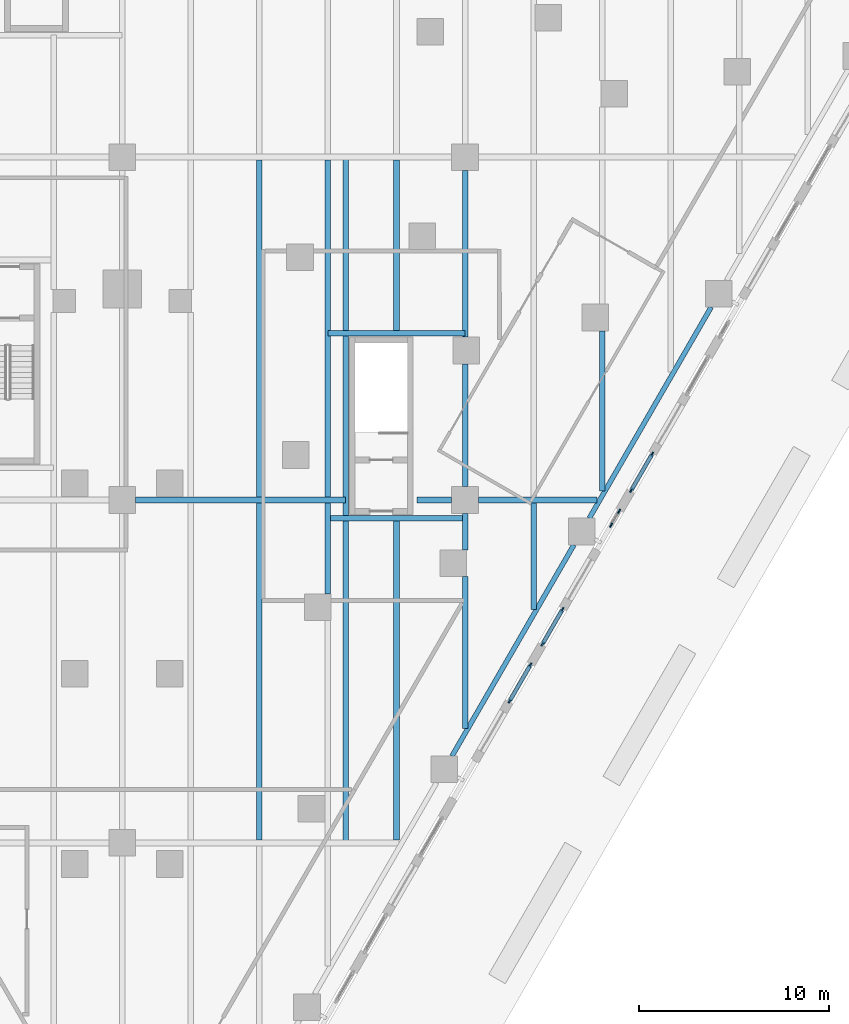
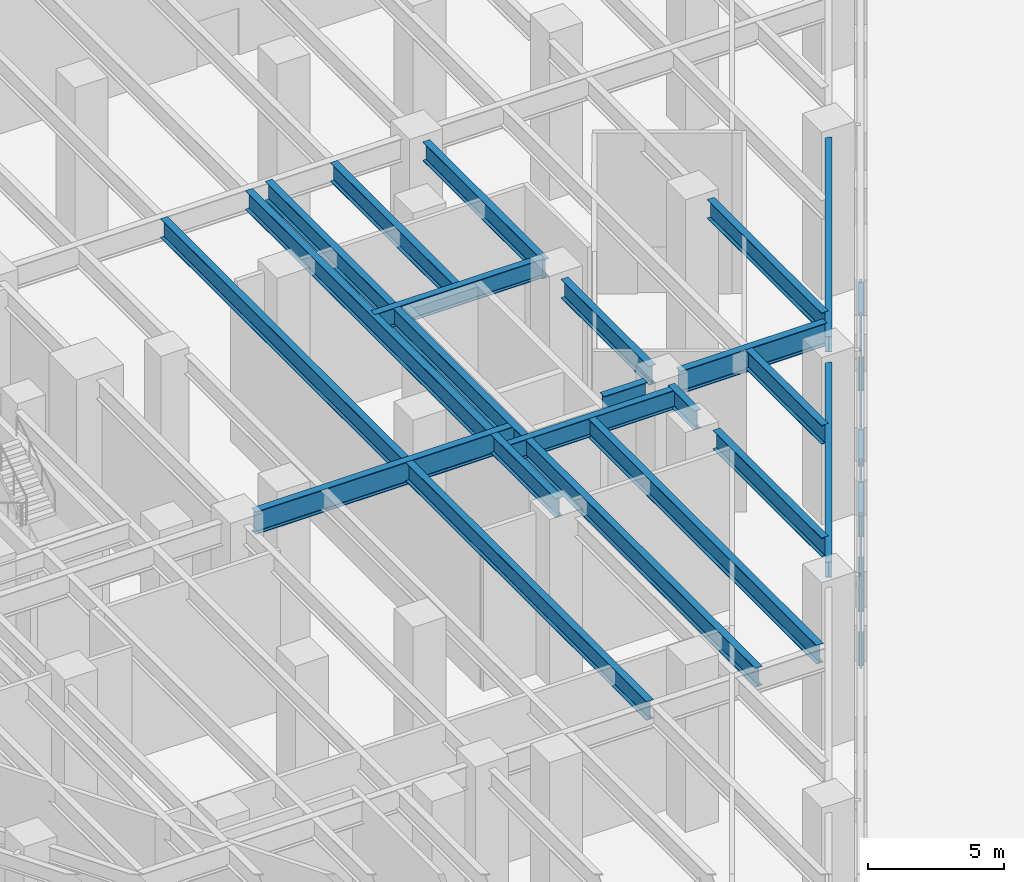
# One storey, part 8 of 37: 20 beams, 17 members, 4 elements without a shape of their own.
"""IFC4 building model written with IfcOpenShell, lengths in metres."""

from ifc_helpers import new_model, si_unit, direction, frame, origin, origin_2d, place, context, subcontext, project, spatial, rectangle, i_section, extrude, material, material_profile, profile_set, type_object, element, aggregate, save


model = new_model("IFC4")

# Units and contexts
model_context = context("Model", 3, precision=1e-05, world=origin(), true_north=direction((0.0, 1.0)))
body_context = subcontext(model_context, "Body", "Model", "MODEL_VIEW")
ifc_project = project(units=[si_unit("LENGTHUNIT", "METRE"), si_unit("AREAUNIT", "SQUARE_METRE"), si_unit("VOLUMEUNIT", "CUBIC_METRE"), si_unit("PLANEANGLEUNIT", "RADIAN"), si_unit("MASSUNIT", "GRAM", prefix="KILO")], contexts=[model_context])

# Site, building, storey
site_placement = place(None, origin())
site = spatial("IfcSite", under=ifc_project, at=site_placement, CompositionType="ELEMENT")
building_placement = place(site_placement, origin())
building = spatial("IfcBuilding", under=site, at=building_placement, Name="Aloe Facet Convention Tower", CompositionType="ELEMENT")
storey_placement = place(building_placement, origin())
storey = spatial("IfcBuildingStorey", under=building, at=storey_placement, Name="L00", CompositionType="ELEMENT", Elevation=0.0)

# Curtain wall, members
ifc_material_1 = material(Name="Aluminium, anodised", Category="aluminium")
curtain_wall_type = type_object("IfcCurtainWallType", Name="EV-CW-PORTAL", PredefinedType="USERDEFINED", material=ifc_material_1)
curtain_wall_1_placement = place(storey_placement, origin())
curtain_wall_1 = element("IfcCurtainWall", 1, at=curtain_wall_1_placement, inside=storey, type_object=curtain_wall_type, Name="CW-L00-E08B", ObjectType="ENTRANCE PORTAL GLAZING", PredefinedType="USERDEFINED")
ifc_material_2 = material(Name="Aluminium, anodised", Category="aluminium")
ifc_material_profile_1 = material_profile(ifc_material_2, rectangle(XDim=0.080078125, YDim=0.25, at=origin_2d()), Name="AL 80x250")
ifc_profile_set_1 = profile_set([ifc_material_profile_1], Name="Aluminium, anodised")
member_type_1 = type_object("IfcMemberType", Name="EV-MULL-PORTAL", PredefinedType="MULLION", material=ifc_profile_set_1)
member_1_placement = place(storey_placement, frame((100.337646484375, 70.4462890625, -0.300048828125), z_axis=(0.0, 0.0, 1.0), x_axis=(-0.86602540375, 0.50000000006, 0.0)))
member_1 = element("IfcMember", 2, at=member_1_placement, type_object=member_type_1, Name="CW-L00-E08B mullion 1", PredefinedType="MULLION", context=body_context, shape_type="SweptSolid", body=[
    extrude(rectangle(XDim=0.080078125, YDim=0.25, at=origin_2d()), origin(), (0.0, 0.0, 1.0), 6.8125),
])
member_2_placement = place(storey_placement, frame((101.427978515625, 72.334716796875, -0.300048828125), z_axis=(0.0, 0.0, 1.0), x_axis=(-0.86602540375, 0.50000000006, 0.0)))
member_2 = element("IfcMember", 3, at=member_2_placement, type_object=member_type_1, Name="CW-L00-E08B mullion 2", PredefinedType="MULLION", context=body_context, shape_type="SweptSolid", body=[
    extrude(rectangle(XDim=0.080078125, YDim=0.25, at=origin_2d()), origin(), (0.0, 0.0, 1.0), 6.8125),
])

curtain_wall_2_placement = place(storey_placement, origin())
curtain_wall_2 = element("IfcCurtainWall", 4, at=curtain_wall_2_placement, inside=storey, type_object=curtain_wall_type, Name="CW-L00-E10A", ObjectType="ENTRANCE PORTAL GLAZING", PredefinedType="USERDEFINED")
member_3_placement = place(storey_placement, frame((102.06787109375, 73.443115234375, -0.300048828125), z_axis=(0.0, 0.0, 1.0), x_axis=(-0.866025403793, 0.499999999985, 0.0)))
member_3 = element("IfcMember", 5, at=member_3_placement, type_object=member_type_1, Name="CW-L00-E10A mullion 1", PredefinedType="MULLION", context=body_context, shape_type="SweptSolid", body=[
    extrude(rectangle(XDim=0.080078125, YDim=0.25, at=origin_2d()), origin(), (0.0, 0.0, 1.0), 6.8125),
])
member_4_placement = place(storey_placement, frame((103.108154296875, 75.2451171875, -0.300048828125), z_axis=(0.0, 0.0, 1.0), x_axis=(-0.866025403793, 0.499999999985, 0.0)))
member_4 = element("IfcMember", 6, at=member_4_placement, type_object=member_type_1, Name="CW-L00-E10A mullion 2", PredefinedType="MULLION", context=body_context, shape_type="SweptSolid", body=[
    extrude(rectangle(XDim=0.080078125, YDim=0.25, at=origin_2d()), origin(), (0.0, 0.0, 1.0), 6.8125),
])

curtain_wall_3_placement = place(storey_placement, origin())
curtain_wall_3 = element("IfcCurtainWall", 7, at=curtain_wall_3_placement, inside=storey, type_object=curtain_wall_type, Name="CW-L00-E10B", ObjectType="ENTRANCE PORTAL GLAZING", PredefinedType="USERDEFINED")
member_5_placement = place(storey_placement, frame((105.6669921875, 79.67724609375, -0.300048828125), z_axis=(0.0, 0.0, 1.0), x_axis=(-0.866025403872, 0.499999999849, 0.0)))
member_5 = element("IfcMember", 8, at=member_5_placement, type_object=member_type_1, Name="CW-L00-E10B mullion 1", PredefinedType="MULLION", context=body_context, shape_type="SweptSolid", body=[
    extrude(rectangle(XDim=0.080078125, YDim=0.25, at=origin_2d()), origin(), (0.0, 0.0, 1.0), 6.8125),
])
member_6_placement = place(storey_placement, frame((106.088623046875, 80.4072265625, -0.300048828125), z_axis=(0.0, 0.0, 1.0), x_axis=(-0.866025403872, 0.499999999849, 0.0)))
member_6 = element("IfcMember", 9, at=member_6_placement, type_object=member_type_1, Name="CW-L00-E10B mullion 2", PredefinedType="MULLION", context=body_context, shape_type="SweptSolid", body=[
    extrude(rectangle(XDim=0.080078125, YDim=0.25, at=origin_2d()), origin(), (0.0, 0.0, 1.0), 6.8125),
])
aggregate(curtain_wall_3, [member_5, member_6])

curtain_wall_4_placement = place(storey_placement, origin())
curtain_wall_4 = element("IfcCurtainWall", 10, at=curtain_wall_4_placement, inside=storey, type_object=curtain_wall_type, Name="CW-L00-E12A", ObjectType="ENTRANCE PORTAL GLAZING", PredefinedType="USERDEFINED")
member_7_placement = place(storey_placement, frame((106.728515625, 81.515869140625, -0.300048828125), z_axis=(0.0, 0.0, 1.0), x_axis=(-0.86602540375, 0.50000000006, 0.0)))
member_7 = element("IfcMember", 11, at=member_7_placement, type_object=member_type_1, Name="CW-L00-E12A mullion 1", PredefinedType="MULLION", context=body_context, shape_type="SweptSolid", body=[
    extrude(rectangle(XDim=0.080078125, YDim=0.25, at=origin_2d()), origin(), (0.0, 0.0, 1.0), 6.8125),
])
member_8_placement = place(storey_placement, frame((107.81884765625, 83.404296875, -0.300048828125), z_axis=(0.0, 0.0, 1.0), x_axis=(-0.86602540375, 0.50000000006, 0.0)))
member_8 = element("IfcMember", 12, at=member_8_placement, type_object=member_type_1, Name="CW-L00-E12A mullion 2", PredefinedType="MULLION", context=body_context, shape_type="SweptSolid", body=[
    extrude(rectangle(XDim=0.080078125, YDim=0.25, at=origin_2d()), origin(), (0.0, 0.0, 1.0), 6.8125),
])

# Member
ifc_material_3 = material(Name="Aluminium, anodised", Category="aluminium")
ifc_material_profile_2 = material_profile(ifc_material_3, rectangle(XDim=0.199951171875, YDim=0.080078125, at=origin_2d()), Name="AL 200x80")
ifc_profile_set_2 = profile_set([ifc_material_profile_2], Name="Aluminium, anodised")
member_type_2 = type_object("IfcMemberType", Name="EV-TRAN-PORTAL", PredefinedType="USERDEFINED", material=ifc_profile_set_2)
member_9_placement = place(storey_placement, frame((100.357421875, 70.480712890625, -0.260009765625), z_axis=(0.500051055413, 0.865995924921, 0.0), x_axis=(-0.865995924921, 0.500051055413, 0.0)))
member_9 = element("IfcMember", 13, at=member_9_placement, type_object=member_type_2, Name="CW-L00-E08B transom 1.1", ObjectType="TRANSOM", PredefinedType="USERDEFINED", context=body_context, shape_type="SweptSolid", body=[
    extrude(rectangle(XDim=0.199951171875, YDim=0.080078125, at=origin_2d()), origin(), (0.0, 0.0, 1.0), 2.100830078125),
])

member_10_placement = place(storey_placement, frame((100.357421875, 70.480712890625, 3.106201171875), z_axis=(0.500051055413, 0.865995924921, 0.0), x_axis=(-0.865995924921, 0.500051055413, 0.0)))
member_10 = element("IfcMember", 14, at=member_10_placement, type_object=member_type_2, Name="CW-L00-E08B transom 1.2", ObjectType="TRANSOM", PredefinedType="USERDEFINED", context=body_context, shape_type="SweptSolid", body=[
    extrude(rectangle(XDim=0.199951171875, YDim=0.080078125, at=origin_2d()), origin(), (0.0, 0.0, 1.0), 2.100830078125),
])

member_11_placement = place(storey_placement, frame((100.357421875, 70.480712890625, 6.472412109375), z_axis=(0.500051055413, 0.865995924921, 0.0), x_axis=(-0.865995924921, 0.500051055413, 0.0)))
member_11 = element("IfcMember", 15, at=member_11_placement, type_object=member_type_2, Name="CW-L00-E08B transom 1.3", ObjectType="TRANSOM", PredefinedType="USERDEFINED", context=body_context, shape_type="SweptSolid", body=[
    extrude(rectangle(XDim=0.199951171875, YDim=0.080078125, at=origin_2d()), origin(), (0.0, 0.0, 1.0), 2.100830078125),
])

aggregate(curtain_wall_1, [member_1, member_2, member_9, member_10, member_11])

member_12_placement = place(storey_placement, frame((102.087890625, 73.477783203125, -0.260009765625), z_axis=(0.499958369336, 0.866049437925, 0.0), x_axis=(-0.866049437925, 0.499958369336, 0.0)))
member_12 = element("IfcMember", 16, at=member_12_placement, type_object=member_type_2, Name="CW-L00-E10A transom 1.1", ObjectType="TRANSOM", PredefinedType="USERDEFINED", context=body_context, shape_type="SweptSolid", body=[
    extrude(rectangle(XDim=0.199951171875, YDim=0.080078125, at=origin_2d()), origin(), (0.0, 0.0, 1.0), 2.000732421875),
])

member_13_placement = place(storey_placement, frame((102.087890625, 73.477783203125, 3.106201171875), z_axis=(0.499958369336, 0.866049437925, 0.0), x_axis=(-0.866049437925, 0.499958369336, 0.0)))
member_13 = element("IfcMember", 17, at=member_13_placement, type_object=member_type_2, Name="CW-L00-E10A transom 1.2", ObjectType="TRANSOM", PredefinedType="USERDEFINED", context=body_context, shape_type="SweptSolid", body=[
    extrude(rectangle(XDim=0.199951171875, YDim=0.080078125, at=origin_2d()), origin(), (0.0, 0.0, 1.0), 2.000732421875),
])

member_14_placement = place(storey_placement, frame((102.087890625, 73.477783203125, 6.472412109375), z_axis=(0.499958369336, 0.866049437925, 0.0), x_axis=(-0.866049437925, 0.499958369336, 0.0)))
member_14 = element("IfcMember", 18, at=member_14_placement, type_object=member_type_2, Name="CW-L00-E10A transom 1.3", ObjectType="TRANSOM", PredefinedType="USERDEFINED", context=body_context, shape_type="SweptSolid", body=[
    extrude(rectangle(XDim=0.199951171875, YDim=0.080078125, at=origin_2d()), origin(), (0.0, 0.0, 1.0), 2.000732421875),
])

aggregate(curtain_wall_2, [member_3, member_4, member_12, member_13, member_14])

member_15_placement = place(storey_placement, frame((106.74853515625, 81.55029296875, -0.260009765625), z_axis=(0.49996389635, 0.866046247233, 0.0), x_axis=(-0.866046247233, 0.49996389635, 0.0)))
member_15 = element("IfcMember", 19, at=member_15_placement, type_object=member_type_2, Name="CW-L00-E12A transom 1.1", ObjectType="TRANSOM", PredefinedType="USERDEFINED", context=body_context, shape_type="SweptSolid", body=[
    extrude(rectangle(XDim=0.199951171875, YDim=0.080078125, at=origin_2d()), origin(), (0.0, 0.0, 1.0), 2.100830078125),
])

member_16_placement = place(storey_placement, frame((106.74853515625, 81.55029296875, 3.106201171875), z_axis=(0.49996389635, 0.866046247233, 0.0), x_axis=(-0.866046247233, 0.49996389635, 0.0)))
member_16 = element("IfcMember", 20, at=member_16_placement, type_object=member_type_2, Name="CW-L00-E12A transom 1.2", ObjectType="TRANSOM", PredefinedType="USERDEFINED", context=body_context, shape_type="SweptSolid", body=[
    extrude(rectangle(XDim=0.199951171875, YDim=0.080078125, at=origin_2d()), origin(), (0.0, 0.0, 1.0), 2.100830078125),
])

member_17_placement = place(storey_placement, frame((106.74853515625, 81.55029296875, 6.472412109375), z_axis=(0.49996389635, 0.866046247233, 0.0), x_axis=(-0.866046247233, 0.49996389635, 0.0)))
member_17 = element("IfcMember", 21, at=member_17_placement, type_object=member_type_2, Name="CW-L00-E12A transom 1.3", ObjectType="TRANSOM", PredefinedType="USERDEFINED", context=body_context, shape_type="SweptSolid", body=[
    extrude(rectangle(XDim=0.199951171875, YDim=0.080078125, at=origin_2d()), origin(), (0.0, 0.0, 1.0), 2.100830078125),
])

aggregate(curtain_wall_4, [member_7, member_8, member_15, member_16, member_17])

# Beams
ifc_material_4 = material(Name="Steel S355", Category="steel")
ifc_material_profile_3 = material_profile(ifc_material_4, i_section(OverallWidth=0.305419921875, OverallDepth=1.02587890625, WebThickness=0.02001953125, FlangeThickness=0.031005859375, FilletRadius=0.030029296875, at=origin_2d()), Name="UB 1016x305x349")
ifc_profile_set_3 = profile_set([ifc_material_profile_3], Name="Steel S355")
beam_type_1 = type_object("IfcBeamType", Name="SF-B-UB1016x305x349", PredefinedType="BEAM", material=ifc_profile_set_3)
beam_1_placement = place(storey_placement, frame((80.699951171875, 81.0, 6.68701171875), z_axis=(1.0, 0.0, 0.0), x_axis=(0.0, 1.0, 0.0)))
element("IfcBeam", 22, at=beam_1_placement, inside=storey, type_object=beam_type_1, Name="Floor beam FB-L01-043", PredefinedType="BEAM", context=body_context, shape_type="SweptSolid", body=[
    extrude(i_section(OverallWidth=0.305419921875, OverallDepth=1.02587890625, WebThickness=0.02001953125, FlangeThickness=0.031005859375, FilletRadius=0.030029296875, at=origin_2d()), origin(), (0.0, 0.0, 1.0), 11.025146484375),
])
beam_2_placement = place(storey_placement, frame((95.47509765625, 81.0, 6.68701171875), z_axis=(1.0, 0.0, 0.0), x_axis=(0.0, 1.0, 0.0)))
element("IfcBeam", 23, at=beam_2_placement, inside=storey, type_object=beam_type_1, Name="Floor beam FB-L01-046", PredefinedType="BEAM", context=body_context, shape_type="SweptSolid", body=[
    extrude(i_section(OverallWidth=0.305419921875, OverallDepth=1.02587890625, WebThickness=0.02001953125, FlangeThickness=0.031005859375, FilletRadius=0.030029296875, at=origin_2d()), origin(), (0.0, 0.0, 1.0), 1.824951171875),
])
beam_3_placement = place(storey_placement, frame((98.699951171875, 81.0, 6.68701171875), z_axis=(1.0, 0.0, 0.0), x_axis=(0.0, 1.0, 0.0)))
element("IfcBeam", 24, at=beam_3_placement, inside=storey, type_object=beam_type_1, Name="Floor beam FB-L01-047", PredefinedType="BEAM", context=body_context, shape_type="SweptSolid", body=[
    extrude(i_section(OverallWidth=0.305419921875, OverallDepth=1.02587890625, WebThickness=0.02001953125, FlangeThickness=0.031005859375, FilletRadius=0.030029296875, at=origin_2d()), origin(), (0.0, 0.0, 1.0), 6.217041015625),
])
ifc_material_5 = material(Name="Steel S355", Category="steel")
ifc_material_profile_4 = material_profile(ifc_material_5, i_section(OverallWidth=0.25439453125, OverallDepth=0.6875, WebThickness=0.01318359375, FlangeThickness=0.02099609375, FilletRadius=0.01513671875, at=origin_2d()), Name="UB 686x254x152")
ifc_profile_set_4 = profile_set([ifc_material_profile_4], Name="Steel S355")
beam_type_2 = type_object("IfcBeamType", Name="SF-B-UB686x254x152", PredefinedType="BEAM", material=ifc_profile_set_4)
beam_4_placement = place(storey_placement, frame((103.713134765625, 78.64306640625, 6.856201171875), z_axis=(-0.499987149722, -0.866032822769, 0.0), x_axis=(0.866032822769, -0.499987149722, 0.0)))
element("IfcBeam", 25, at=beam_4_placement, inside=storey, type_object=beam_type_2, Name="Floor beam FB-L01-019", PredefinedType="BEAM", context=body_context, shape_type="SweptSolid", body=[
    extrude(i_section(OverallWidth=0.25439453125, OverallDepth=0.6875, WebThickness=0.01318359375, FlangeThickness=0.02099609375, FilletRadius=0.01513671875, at=origin_2d()), origin(), (0.0, 0.0, 1.0), 12.801025390625),
])
beam_5_placement = place(storey_placement, frame((110.92138671875, 91.1279296875, 6.856201171875), z_axis=(-0.499999833739, -0.866025499775, 0.0), x_axis=(0.866025499775, -0.499999833739, 0.0)))
element("IfcBeam", 26, at=beam_5_placement, inside=storey, type_object=beam_type_2, Name="Floor beam FB-L01-021", PredefinedType="BEAM", context=body_context, shape_type="SweptSolid", body=[
    extrude(i_section(OverallWidth=0.25439453125, OverallDepth=0.6875, WebThickness=0.01318359375, FlangeThickness=0.02099609375, FilletRadius=0.01513671875, at=origin_2d()), origin(), (0.0, 0.0, 1.0), 12.7998046875),
])
ifc_material_6 = material(Name="Steel S355", Category="steel")
ifc_material_profile_5 = material_profile(ifc_material_6, i_section(OverallWidth=0.293701171875, OverallDepth=0.850830078125, WebThickness=0.01611328125, FlangeThickness=0.02685546875, FilletRadius=0.017822265625, at=origin_2d()), Name="UB 838x292x226")
ifc_profile_set_5 = profile_set([ifc_material_profile_5], Name="Steel S355")
beam_type_3 = type_object("IfcBeamType", Name="SF-B-UB838x292x226", PredefinedType="BEAM", material=ifc_profile_set_5)
for number, where, z_axis, x_axis, name in (
    (27, (87.199951171875, 63.152587890625, 6.774658203125), (0.0, 1.0, 0.0), (-1.0, 0.0, 0.0), "Floor beam FB-L01-127"),
    (28, (87.199951171875, 81.152587890625, 6.774658203125), (0.0, 1.0, 0.0), (-1.0, 0.0, 0.0), "Floor beam FB-L01-128"),
):
    element("IfcBeam", number, at=place(storey_placement, frame(where, z_axis=z_axis, x_axis=x_axis)), inside=storey, type_object=beam_type_3, Name=name, PredefinedType="BEAM", context=body_context, shape_type="SweptSolid", body=[
        extrude(i_section(OverallWidth=0.293701171875, OverallDepth=0.850830078125, WebThickness=0.01611328125, FlangeThickness=0.02685546875, FilletRadius=0.017822265625, at=origin_2d()), origin(), (0.0, 0.0, 1.0), 17.69482421875),
    ])
beam_6_placement = place(storey_placement, frame((90.800048828125, 76.06591796875, 6.774658203125), z_axis=(0.0, 1.0, 0.0), x_axis=(-1.0, 0.0, 0.0)))
element("IfcBeam", 29, at=beam_6_placement, inside=storey, type_object=beam_type_3, Name="Floor beam FB-L01-133", PredefinedType="BEAM", context=body_context, shape_type="SweptSolid", body=[
    extrude(i_section(OverallWidth=0.293701171875, OverallDepth=0.850830078125, WebThickness=0.01611328125, FlangeThickness=0.02685546875, FilletRadius=0.017822265625, at=origin_2d()), origin(), (0.0, 0.0, 1.0), 4.781494140625),
])
beam_7_placement = place(storey_placement, frame((90.800048828125, 80.050048828125, 6.774658203125), z_axis=(1.0, 0.0, 0.0), x_axis=(0.0, 1.0, 0.0)))
element("IfcBeam", 30, at=beam_7_placement, inside=storey, type_object=beam_type_3, Name="Floor beam FB-L01-134", PredefinedType="BEAM", context=body_context, shape_type="SweptSolid", body=[
    extrude(i_section(OverallWidth=0.293701171875, OverallDepth=0.850830078125, WebThickness=0.01611328125, FlangeThickness=0.02685546875, FilletRadius=0.017822265625, at=origin_2d()), origin(), (0.0, 0.0, 1.0), 7.199951171875),
])
beam_8_placement = place(storey_placement, frame((90.800048828125, 81.152587890625, 6.774658203125), z_axis=(0.0, 1.0, 0.0), x_axis=(-1.0, 0.0, 0.0)))
element("IfcBeam", 31, at=beam_8_placement, inside=storey, type_object=beam_type_3, Name="Floor beam FB-L01-135", PredefinedType="BEAM", context=body_context, shape_type="SweptSolid", body=[
    extrude(i_section(OverallWidth=0.293701171875, OverallDepth=0.850830078125, WebThickness=0.01611328125, FlangeThickness=0.02685546875, FilletRadius=0.017822265625, at=origin_2d()), origin(), (0.0, 0.0, 1.0), 17.69482421875),
])
beam_9_placement = place(storey_placement, frame((90.800048828125, 89.75, 6.774658203125), z_axis=(1.0, 0.0, 0.0), x_axis=(0.0, 1.0, 0.0)))
element("IfcBeam", 32, at=beam_9_placement, inside=storey, type_object=beam_type_3, Name="Floor beam FB-L01-136", PredefinedType="BEAM", context=body_context, shape_type="SweptSolid", body=[
    extrude(i_section(OverallWidth=0.293701171875, OverallDepth=0.850830078125, WebThickness=0.01611328125, FlangeThickness=0.02685546875, FilletRadius=0.017822265625, at=origin_2d()), origin(), (0.0, 0.0, 1.0), 7.199951171875),
])
beam_10_placement = place(storey_placement, frame((91.72509765625, 63.0, 6.774658203125), z_axis=(0.0, 1.0, 0.0), x_axis=(-1.0, 0.0, 0.0)))
element("IfcBeam", 33, at=beam_10_placement, inside=storey, type_object=beam_type_3, Name="Floor beam FB-L01-139", PredefinedType="BEAM", context=body_context, shape_type="SweptSolid", body=[
    extrude(i_section(OverallWidth=0.293701171875, OverallDepth=0.850830078125, WebThickness=0.01611328125, FlangeThickness=0.02685546875, FilletRadius=0.017822265625, at=origin_2d()), origin(), (0.0, 0.0, 1.0), 36.0),
])
beam_11_placement = place(storey_placement, frame((94.39990234375, 63.152587890625, 6.774658203125), z_axis=(0.0, 1.0, 0.0), x_axis=(-1.0, 0.0, 0.0)))
element("IfcBeam", 34, at=beam_11_placement, inside=storey, type_object=beam_type_3, Name="Floor beam FB-L01-140", PredefinedType="BEAM", context=body_context, shape_type="SweptSolid", body=[
    extrude(i_section(OverallWidth=0.293701171875, OverallDepth=0.850830078125, WebThickness=0.01611328125, FlangeThickness=0.02685546875, FilletRadius=0.017822265625, at=origin_2d()), origin(), (0.0, 0.0, 1.0), 16.8974609375),
])
beam_12_placement = place(storey_placement, frame((94.39990234375, 89.75, 6.774658203125), z_axis=(0.0, 1.0, 0.0), x_axis=(-1.0, 0.0, 0.0)))
element("IfcBeam", 35, at=beam_12_placement, inside=storey, type_object=beam_type_3, Name="Floor beam FB-L01-141", PredefinedType="BEAM", context=body_context, shape_type="SweptSolid", body=[
    extrude(i_section(OverallWidth=0.293701171875, OverallDepth=0.850830078125, WebThickness=0.01611328125, FlangeThickness=0.02685546875, FilletRadius=0.017822265625, at=origin_2d()), origin(), (0.0, 0.0, 1.0), 9.097412109375),
])
beam_13_placement = place(storey_placement, frame((98.0, 69.011962890625, 6.774658203125), z_axis=(0.0, 1.0, 0.0), x_axis=(-1.0, 0.0, 0.0)))
element("IfcBeam", 36, at=beam_13_placement, inside=storey, type_object=beam_type_3, Name="Floor beam FB-L01-144", PredefinedType="BEAM", context=body_context, shape_type="SweptSolid", body=[
    extrude(i_section(OverallWidth=0.293701171875, OverallDepth=0.850830078125, WebThickness=0.01611328125, FlangeThickness=0.02685546875, FilletRadius=0.017822265625, at=origin_2d()), origin(), (0.0, 0.0, 1.0), 7.97412109375),
])
beam_14_placement = place(storey_placement, frame((98.0, 78.385986328125, 6.774658203125), z_axis=(0.0, 1.0, 0.0), x_axis=(-1.0, 0.0, 0.0)))
element("IfcBeam", 37, at=beam_14_placement, inside=storey, type_object=beam_type_3, Name="Floor beam FB-L01-145", PredefinedType="BEAM", context=body_context, shape_type="SweptSolid", body=[
    extrude(i_section(OverallWidth=0.293701171875, OverallDepth=0.850830078125, WebThickness=0.01611328125, FlangeThickness=0.02685546875, FilletRadius=0.017822265625, at=origin_2d()), origin(), (0.0, 0.0, 1.0), 1.9140625),
])
beam_15_placement = place(storey_placement, frame((98.0, 81.699951171875, 6.774658203125), z_axis=(0.0, 1.0, 0.0), x_axis=(-1.0, 0.0, 0.0)))
element("IfcBeam", 38, at=beam_15_placement, inside=storey, type_object=beam_type_3, Name="Floor beam FB-L01-146", PredefinedType="BEAM", context=body_context, shape_type="SweptSolid", body=[
    extrude(i_section(OverallWidth=0.293701171875, OverallDepth=0.850830078125, WebThickness=0.01611328125, FlangeThickness=0.02685546875, FilletRadius=0.017822265625, at=origin_2d()), origin(), (0.0, 0.0, 1.0), 6.445068359375),
])
beam_16_placement = place(storey_placement, frame((98.0, 89.544921875, 6.774658203125), z_axis=(0.0, 1.0, 0.0), x_axis=(-1.0, 0.0, 0.0)))
element("IfcBeam", 39, at=beam_16_placement, inside=storey, type_object=beam_type_3, Name="Floor beam FB-L01-147", PredefinedType="BEAM", context=body_context, shape_type="SweptSolid", body=[
    extrude(i_section(OverallWidth=0.293701171875, OverallDepth=0.850830078125, WebThickness=0.01611328125, FlangeThickness=0.02685546875, FilletRadius=0.017822265625, at=origin_2d()), origin(), (0.0, 0.0, 1.0), 8.755126953125),
])
beam_17_placement = place(storey_placement, frame((101.60009765625, 75.247314453125, 6.774658203125), z_axis=(0.0, 1.0, 0.0), x_axis=(-1.0, 0.0, 0.0)))
element("IfcBeam", 40, at=beam_17_placement, inside=storey, type_object=beam_type_3, Name="Floor beam FB-L01-150", PredefinedType="BEAM", context=body_context, shape_type="SweptSolid", body=[
    extrude(i_section(OverallWidth=0.293701171875, OverallDepth=0.850830078125, WebThickness=0.01611328125, FlangeThickness=0.02685546875, FilletRadius=0.017822265625, at=origin_2d()), origin(), (0.0, 0.0, 1.0), 5.60009765625),
])
beam_18_placement = place(storey_placement, frame((105.199951171875, 81.482666015625, 6.774658203125), z_axis=(0.0, 1.0, 0.0), x_axis=(-1.0, 0.0, 0.0)))
element("IfcBeam", 41, at=beam_18_placement, inside=storey, type_object=beam_type_3, Name="Floor beam FB-L01-154", PredefinedType="BEAM", context=body_context, shape_type="SweptSolid", body=[
    extrude(i_section(OverallWidth=0.293701171875, OverallDepth=0.850830078125, WebThickness=0.01611328125, FlangeThickness=0.02685546875, FilletRadius=0.017822265625, at=origin_2d()), origin(), (0.0, 0.0, 1.0), 8.40234375),
])

save(model, "model.ifc")
